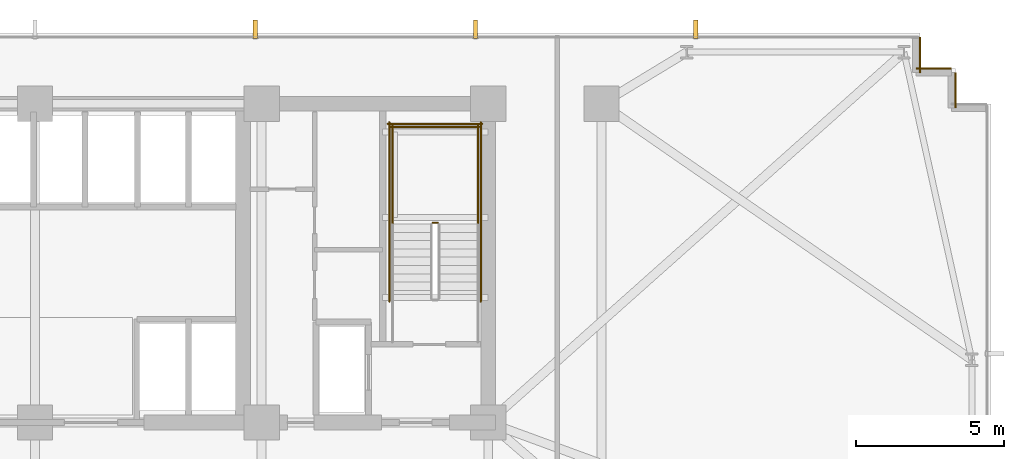
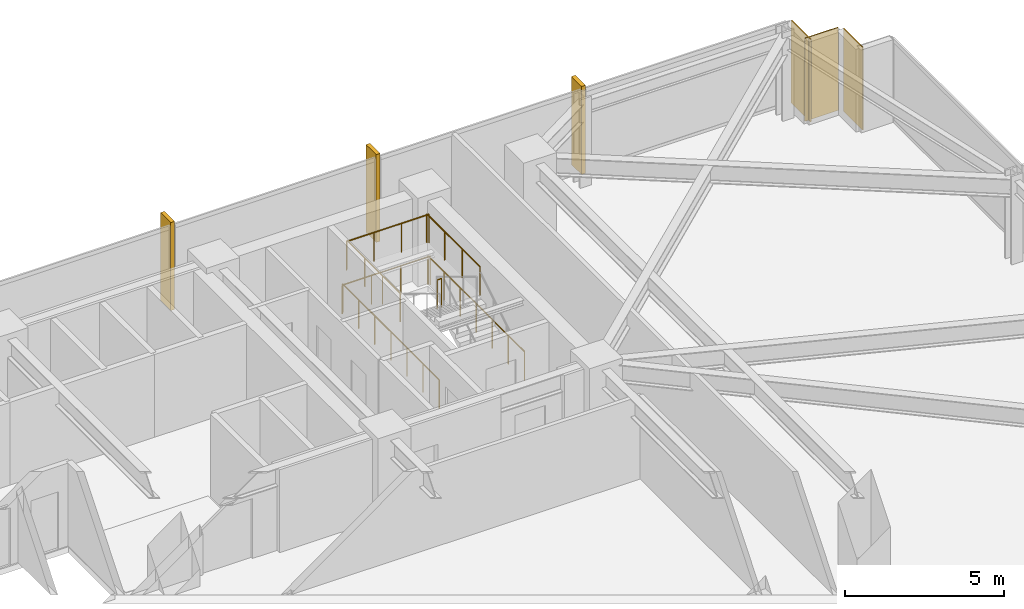
# One storey, part 32 of 33: 7 railings, 3 coverings, 3 shading devices.
"""IFC4 building model written with IfcOpenShell, lengths in metres."""

from ifc_helpers import new_model, si_unit, direction, frame, frame_2d, origin, origin_2d, place, context, subcontext, project, spatial, rectangle, circle, extrude, material, layer, layer_set, type_object, element, save


model = new_model("IFC4")

# Units and contexts
model_context = context("Model", 3, precision=1e-05, world=origin(), true_north=direction((0.0, 1.0)))
body_context = subcontext(model_context, "Body", "Model", "MODEL_VIEW")
ifc_project = project(units=[si_unit("LENGTHUNIT", "METRE"), si_unit("AREAUNIT", "SQUARE_METRE"), si_unit("VOLUMEUNIT", "CUBIC_METRE"), si_unit("PLANEANGLEUNIT", "RADIAN"), si_unit("MASSUNIT", "GRAM", prefix="KILO")], contexts=[model_context])

# Site, building, storey
site_placement = place(None, origin())
site = spatial("IfcSite", under=ifc_project, at=site_placement, CompositionType="ELEMENT")
building_placement = place(site_placement, origin())
building = spatial("IfcBuilding", under=site, at=building_placement, Name="Yelkora Congress Tower", CompositionType="ELEMENT")
storey_placement = place(building_placement, frame((0.0, 0.0, 37.199951171875)))
storey = spatial("IfcBuildingStorey", under=building, at=storey_placement, Name="L08", CompositionType="ELEMENT", Elevation=37.199951171875)

# Coverings
ifc_material_1 = material(Name="Anatolian bush-hammered limestone", Category="masonry")
ifc_layer_1 = layer(ifc_material_1, 0.0400390625)
ifc_layer_set_1 = layer_set([ifc_layer_1], Name="Anatolian bush-hammered limestone")
covering_type = type_object("IfcCoveringType", Name="COV-CLAD-SPANDREL-40", PredefinedType="CLADDING", material=ifc_layer_set_1)
for number, where, z_axis, x_axis, name in (
    (1, (68.39501953125, 48.4599609375, 0.0), (0.0, 0.0, 1.0), (0.0, -1.0, 0.0), "L08 Anatolian Limestone Cladding EW-L08-SR11"),
    (2, (68.260009765625, 47.39501953125, 0.0), (0.0, 0.0, 1.0), (1.0, 0.0, 0.0), "L08 Anatolian Limestone Cladding EW-L08-SR12"),
    (3, (69.594970703125, 47.260009765625, 0.0), (0.0, 0.0, 1.0), (0.0, -1.0, 0.0), "L08 Anatolian Limestone Cladding EW-L08-SR13"),
):
    element("IfcCovering", number, at=place(storey_placement, frame(where, z_axis=z_axis, x_axis=x_axis)), inside=storey, type_object=covering_type, Name=name, PredefinedType="CLADDING", context=body_context, shape_type="SweptSolid", body=[
        extrude(rectangle(XDim=1.199951171875, YDim=0.0400390625, at=frame_2d((0.60009765625, 0.0))), origin(), (0.0, 0.0, 1.0), 3.179931640625),
    ])

# Railings
ifc_material_2 = material(Name="Painted galvanised steel stair well guard with vertical infill", Category="steel")
ifc_layer_2 = layer(ifc_material_2, 0.06005859375)
ifc_layer_set_2 = layer_set([ifc_layer_2], Name="Painted galvanised steel stair well guard with vertical infill")
railing_type = type_object("IfcRailingType", Name="RAIL-STAIR-GUARD-1120", PredefinedType="GUARDRAIL", material=ifc_layer_set_2)
railing_1_placement = place(storey_placement, frame((52.0400390625, 42.169921875, 1.699951171875)))
element("IfcRailing", 4, at=railing_1_placement, inside=storey, type_object=railing_type, Name="ST-02 L08 Stair Well Guardrail 2", PredefinedType="GUARDRAIL", context=body_context, shape_type="SweptSolid", body=[
    extrude(circle(Radius=0.02392578125, at=origin_2d()), frame((0.0, 0.0, 1.09619140625), z_axis=(-1.0, 0.0, 0.0), x_axis=(0.0, -1.0, 0.0)), (0.0, 0.0, 1.0), 0.16015625),
    extrude(circle(Radius=0.02099609375, at=origin_2d()), origin(), (0.0, 0.0, 1.0), 1.072021484375),
    extrude(circle(Radius=0.02099609375, at=origin_2d()), frame((-0.16015625, 0.0, 0.0)), (0.0, 0.0, 1.0), 1.072021484375),
])
for number, where, name in (
    (5, (53.409912109375, 42.1201171875, 1.699951171875), "ST-02 L08 Stair Well Guardrail 3"),
    (6, (50.510009765625, 42.1201171875, 1.699951171875), "ST-02 L08 Stair Well Guardrail 4"),
):
    element("IfcRailing", number, at=place(storey_placement, frame(where)), inside=storey, type_object=railing_type, Name=name, PredefinedType="GUARDRAIL", context=body_context, shape_type="SweptSolid", body=[
        extrude(circle(Radius=0.02392578125, at=origin_2d()), frame((0.0, 0.0, 1.09619140625), z_axis=(0.0, 1.0, 0.0), x_axis=(-1.0, 0.0, 0.0)), (0.0, 0.0, 1.0), 3.349853515625),
        extrude(circle(Radius=0.02099609375, at=origin_2d()), origin(), (0.0, 0.0, 1.0), 1.072021484375),
        extrude(circle(Radius=0.02099609375, at=origin_2d()), frame((0.0, 1.11669921875, 0.0)), (0.0, 0.0, 1.0), 1.072021484375),
        extrude(circle(Radius=0.02099609375, at=origin_2d()), frame((0.0, 2.233154296875, 0.0)), (0.0, 0.0, 1.0), 1.072021484375),
        extrude(circle(Radius=0.02099609375, at=origin_2d()), frame((0.0, 3.349853515625, 0.0)), (0.0, 0.0, 1.0), 1.072021484375),
    ])
railing_2_placement = place(storey_placement, frame((53.4599609375, 45.419921875, 1.699951171875)))
element("IfcRailing", 7, at=railing_2_placement, inside=storey, type_object=railing_type, Name="ST-02 L08 Stair Well Guardrail 5", PredefinedType="GUARDRAIL", context=body_context, shape_type="SweptSolid", body=[
    extrude(circle(Radius=0.02392578125, at=origin_2d()), frame((0.0, 0.0, 1.09619140625), z_axis=(-1.0, 0.0, 0.0), x_axis=(0.0, -1.0, 0.0)), (0.0, 0.0, 1.0), 3.0),
    extrude(circle(Radius=0.02099609375, at=origin_2d()), origin(), (0.0, 0.0, 1.0), 1.072021484375),
    extrude(circle(Radius=0.02099609375, at=origin_2d()), frame((-1.0, 0.0, 0.0)), (0.0, 0.0, 1.0), 1.072021484375),
    extrude(circle(Radius=0.02099609375, at=origin_2d()), frame((-2.0, 0.0, 0.0)), (0.0, 0.0, 1.0), 1.072021484375),
    extrude(circle(Radius=0.02099609375, at=origin_2d()), frame((-3.0, 0.0, 0.0)), (0.0, 0.0, 1.0), 1.072021484375),
])
for number, where, name in (
    (8, (53.510009765625, 39.5, 0.0), "ST-02 L08 Stair Well Guardrail 10"),
    (9, (50.409912109375, 39.5, 0.0), "ST-02 L08 Stair Well Guardrail 11"),
):
    element("IfcRailing", number, at=place(storey_placement, frame(where)), inside=storey, type_object=railing_type, Name=name, PredefinedType="GUARDRAIL", context=body_context, shape_type="SweptSolid", body=[
        extrude(circle(Radius=0.02392578125, at=origin_2d()), frame((0.0, 0.0, 1.09619140625), z_axis=(0.0, 1.0, 0.0), x_axis=(-1.0, 0.0, 0.0)), (0.0, 0.0, 1.0), 6.070068359375),
        extrude(circle(Radius=0.02099609375, at=origin_2d()), origin(), (0.0, 0.0, 1.0), 1.072021484375),
        extrude(circle(Radius=0.02099609375, at=origin_2d()), frame((0.0, 1.01171875, 0.0)), (0.0, 0.0, 1.0), 1.072021484375),
        extrude(circle(Radius=0.02099609375, at=origin_2d()), frame((0.0, 2.0234375, 0.0)), (0.0, 0.0, 1.0), 1.072021484375),
        extrude(circle(Radius=0.02099609375, at=origin_2d()), frame((0.0, 3.03515625, 0.0)), (0.0, 0.0, 1.0), 1.072021484375),
        extrude(circle(Radius=0.02099609375, at=origin_2d()), frame((0.0, 4.046630859375, 0.0)), (0.0, 0.0, 1.0), 1.072021484375),
        extrude(circle(Radius=0.02099609375, at=origin_2d()), frame((0.0, 5.058349609375, 0.0)), (0.0, 0.0, 1.0), 1.072021484375),
        extrude(circle(Radius=0.02099609375, at=origin_2d()), frame((0.0, 6.070068359375, 0.0)), (0.0, 0.0, 1.0), 1.072021484375),
    ])
railing_3_placement = place(storey_placement, frame((53.56005859375, 45.52001953125, 0.0)))
element("IfcRailing", 10, at=railing_3_placement, inside=storey, type_object=railing_type, Name="ST-02 L08 Stair Well Guardrail 12", PredefinedType="GUARDRAIL", context=body_context, shape_type="SweptSolid", body=[
    extrude(circle(Radius=0.02392578125, at=origin_2d()), frame((0.0, 0.0, 1.09619140625), z_axis=(-1.0, 0.0, 0.0), x_axis=(0.0, -1.0, 0.0)), (0.0, 0.0, 1.0), 3.199951171875),
    extrude(circle(Radius=0.02099609375, at=origin_2d()), origin(), (0.0, 0.0, 1.0), 1.072021484375),
    extrude(circle(Radius=0.02099609375, at=origin_2d()), frame((-1.066650390625, 0.0, 0.0)), (0.0, 0.0, 1.0), 1.072021484375),
    extrude(circle(Radius=0.02099609375, at=origin_2d()), frame((-2.13330078125, 0.0, 0.0)), (0.0, 0.0, 1.0), 1.072021484375),
    extrude(circle(Radius=0.02099609375, at=origin_2d()), frame((-3.199951171875, 0.0, 0.0)), (0.0, 0.0, 1.0), 1.072021484375),
])

# Shading devices
ifc_material_3 = material(Name="Champagne anodised aluminium", Category="aluminium")
ifc_layer_3 = layer(ifc_material_3, 3.39990234375)
ifc_layer_set_3 = layer_set([ifc_layer_3], Name="Champagne anodised aluminium")
shading_device_type = type_object("IfcShadingDeviceType", Name="SHD-FIN-ALU-640", PredefinedType="USERDEFINED", material=ifc_layer_set_3)
for number, where, z_axis, x_axis, name in (
    (11, (45.864990234375, 48.719970703125, -0.02978515625), (0.0, 0.0, 1.0), (1.0, 0.0, 0.0), "L08 Vertical Anodised Solar Fin 10-5"),
    (12, (53.330078125, 48.719970703125, -0.02978515625), (0.0, 0.0, 1.0), (1.0, 0.0, 0.0), "L08 Vertical Anodised Solar Fin 10-6"),
    (13, (60.794921875, 48.719970703125, -0.02978515625), (0.0, 0.0, 1.0), (1.0, 0.0, 0.0), "L08 Vertical Anodised Solar Fin 10-7"),
):
    element("IfcShadingDevice", number, at=place(storey_placement, frame(where, z_axis=z_axis, x_axis=x_axis)), inside=storey, type_object=shading_device_type, Name=name, ObjectType="FIN", PredefinedType="USERDEFINED", context=body_context, shape_type="SweptSolid", body=[
        extrude(rectangle(XDim=0.139892578125, YDim=0.639892578125, at=origin_2d()), origin(), (0.0, 0.0, 1.0), 3.3798828125),
    ])

save(model, "model.ifc")
